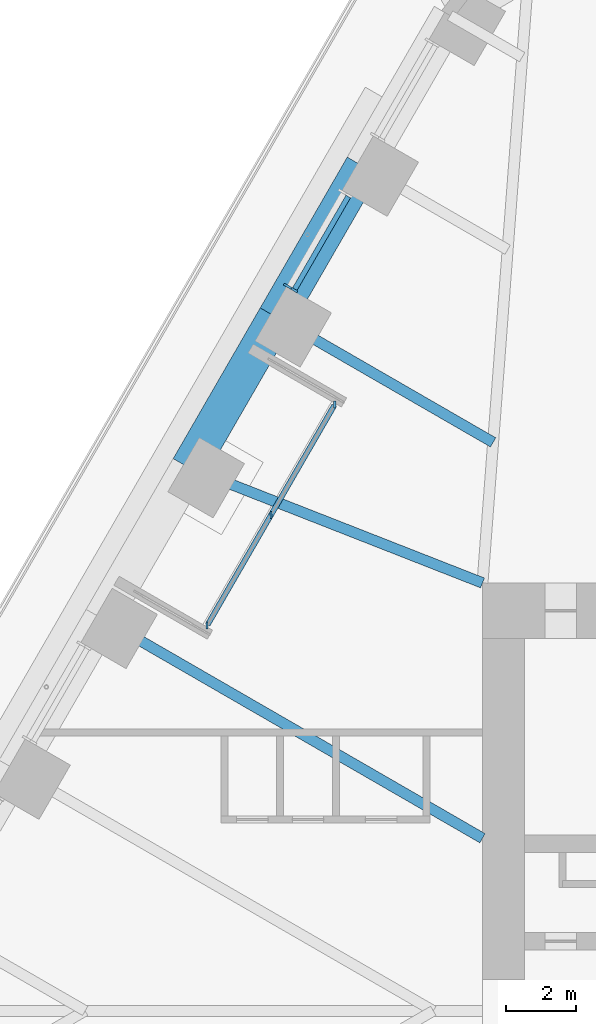
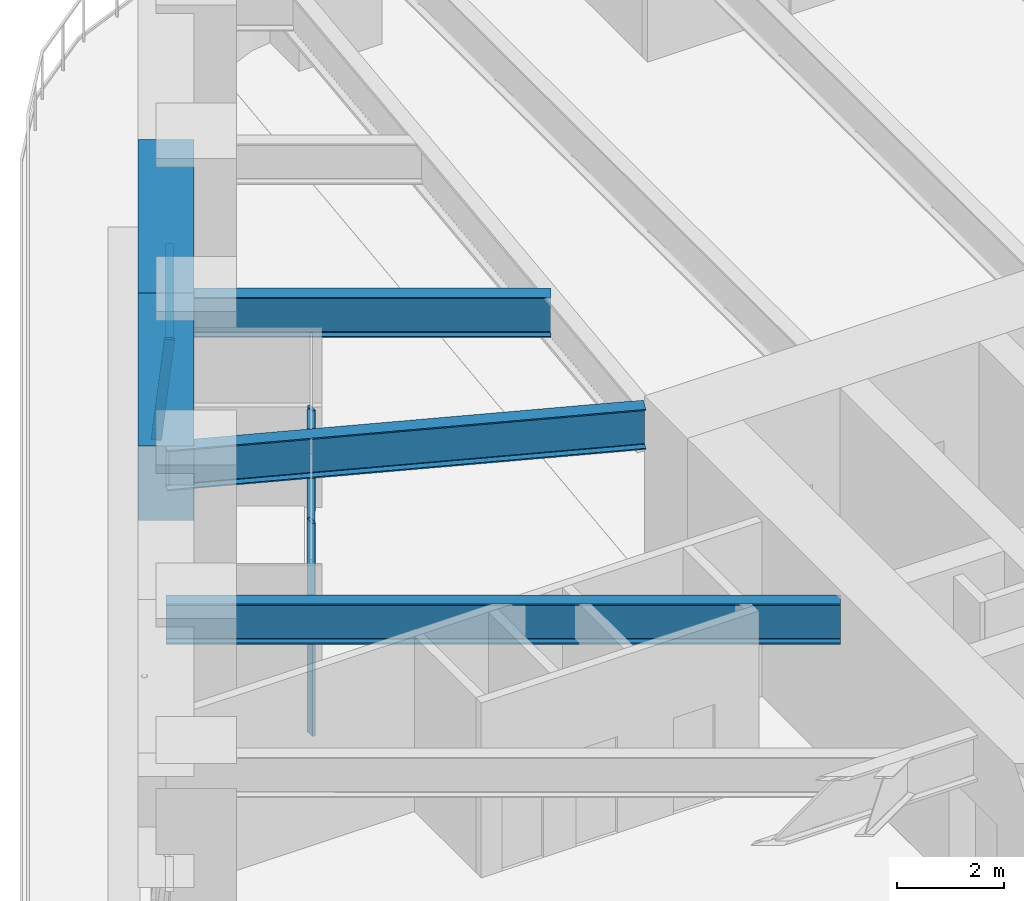
# One storey, part 8 of 24: 6 members, 5 beams, 2 elements without a shape of their own.
"""IFC4 building model written with IfcOpenShell, lengths in metres."""

from ifc_helpers import new_model, si_unit, direction, frame, origin, origin_2d, place, context, subcontext, project, spatial, rectangle, i_section, extrude, material, material_profile, profile_set, type_object, element, aggregate, save


model = new_model("IFC4")

# Units and contexts
model_context = context("Model", 3, precision=1e-05, world=origin(), true_north=direction((0.0, 1.0)))
body_context = subcontext(model_context, "Body", "Model", "MODEL_VIEW")
ifc_project = project(units=[si_unit("LENGTHUNIT", "METRE"), si_unit("AREAUNIT", "SQUARE_METRE"), si_unit("VOLUMEUNIT", "CUBIC_METRE"), si_unit("PLANEANGLEUNIT", "RADIAN"), si_unit("MASSUNIT", "GRAM", prefix="KILO")], contexts=[model_context])

# Site, building, storey
site_placement = place(None, origin())
site = spatial("IfcSite", under=ifc_project, at=site_placement, CompositionType="ELEMENT")
building_placement = place(site_placement, origin())
building = spatial("IfcBuilding", under=site, at=building_placement, Name="Tarfa Lantern Tower", CompositionType="ELEMENT")
storey_placement = place(building_placement, frame((0.0, 0.0, 123.699951171875)))
storey = spatial("IfcBuildingStorey", under=building, at=storey_placement, Name="L27", CompositionType="ELEMENT", Elevation=123.699951171875)

# Curtain wall, member
ifc_material_1 = material(Name="Aluminium framed curtain wall", Category="aluminium")
curtain_wall_type_1 = type_object("IfcCurtainWallType", Name="CW2 CANTED GLAZING MID ZONE 2300", PredefinedType="USERDEFINED", material=ifc_material_1)
curtain_wall_1_placement = place(storey_placement, origin())
curtain_wall_1 = element("IfcCurtainWall", 1, at=curtain_wall_1_placement, inside=storey, type_object=curtain_wall_type_1, Name="CW2 NW L27", ObjectType="CURTAIN WALL", PredefinedType="USERDEFINED")
ifc_material_2 = material(Name="Aluminium mullion", Category="aluminium")
ifc_material_profile_1 = material_profile(ifc_material_2, rectangle(XDim=0.06494140625, YDim=0.199951171875, at=origin_2d()), Name="AL MULLION 65x200")
ifc_profile_set_1 = profile_set([ifc_material_profile_1], Name="Aluminium mullion")
member_type_1 = type_object("IfcMemberType", Name="CWM1 MULLION 65x200", PredefinedType="MULLION", material=ifc_profile_set_1)
member_1_placement = place(storey_placement, frame((-24.22509765625, 20.8408203125, 0.0), z_axis=(0.093599904765, -0.0540283554, 0.994142844183), x_axis=(0.499919672301, 0.866071776036, 0.0)))
member_1 = element("IfcMember", 2, at=member_1_placement, type_object=member_type_1, Name="CW2 mullion 2", PredefinedType="MULLION", context=body_context, shape_type="SweptSolid", body=[
    extrude(rectangle(XDim=0.06494140625, YDim=0.199951171875, at=origin_2d()), origin(), (0.0, 0.0, 1.0), 2.313720703125),
])

# Curtain wall, members
curtain_wall_type_2 = type_object("IfcCurtainWallType", Name="CW10 LOGGIA GLAZING 2300", PredefinedType="USERDEFINED", material=ifc_material_1)
curtain_wall_2_placement = place(storey_placement, origin())
curtain_wall_2 = element("IfcCurtainWall", 3, at=curtain_wall_2_placement, inside=storey, type_object=curtain_wall_type_2, Name="CW10 NWL L27", ObjectType="CURTAIN WALL", PredefinedType="USERDEFINED")
member_2_placement = place(storey_placement, frame((-22.84619140625, 17.429443359375, 0.0), z_axis=(0.0, 0.0, 1.0), x_axis=(1.0, 0.0, 0.0)))
member_2 = element("IfcMember", 4, at=member_2_placement, type_object=member_type_1, Name="CW10 mullion 1", PredefinedType="MULLION", context=body_context, shape_type="SweptSolid", body=[
    extrude(rectangle(XDim=0.06494140625, YDim=0.199951171875, at=origin_2d()), origin(), (0.0, 0.0, 1.0), 2.300048828125),
])
member_3_placement = place(storey_placement, frame((-24.681640625, 14.25, 0.0), z_axis=(0.0, 0.0, 1.0), x_axis=(1.0, 0.0, 0.0)))
member_3 = element("IfcMember", 5, at=member_3_placement, type_object=member_type_1, Name="CW10 mullion 2", PredefinedType="MULLION", context=body_context, shape_type="SweptSolid", body=[
    extrude(rectangle(XDim=0.06494140625, YDim=0.199951171875, at=origin_2d()), origin(), (0.0, 0.0, 1.0), 2.300048828125),
])
member_4_placement = place(storey_placement, frame((-26.517333984375, 11.070556640625, 0.0), z_axis=(0.0, 0.0, 1.0), x_axis=(1.0, 0.0, 0.0)))
member_4 = element("IfcMember", 6, at=member_4_placement, type_object=member_type_1, Name="CW10 mullion 3", PredefinedType="MULLION", context=body_context, shape_type="SweptSolid", body=[
    extrude(rectangle(XDim=0.06494140625, YDim=0.199951171875, at=origin_2d()), origin(), (0.0, 0.0, 1.0), 2.300048828125),
])

# Member
ifc_material_3 = material(Name="Aluminium transom", Category="aluminium")
ifc_material_profile_2 = material_profile(ifc_material_3, rectangle(XDim=0.14990234375, YDim=0.06494140625, at=origin_2d()), Name="AL TRANSOM 150x65")
ifc_profile_set_2 = profile_set([ifc_material_profile_2], Name="Aluminium transom")
member_type_2 = type_object("IfcMemberType", Name="CWT1 TRANSOM 150x65", PredefinedType="USERDEFINED", material=ifc_profile_set_2)
member_5_placement = place(storey_placement, frame((-22.45849609375, 23.40771484375, 2.267578125), z_axis=(-0.500008936691, -0.866020244122, 0.0), x_axis=(0.866020244122, -0.500008936691, 0.0)))
member_5 = element("IfcMember", 7, at=member_5_placement, type_object=member_type_2, Name="CW2 transom 1.2", ObjectType="TRANSOM", PredefinedType="USERDEFINED", context=body_context, shape_type="SweptSolid", body=[
    extrude(rectangle(XDim=0.14990234375, YDim=0.06494140625, at=origin_2d()), origin(), (0.0, 0.0, 1.0), 3.07373046875),
])

aggregate(curtain_wall_1, [member_1, member_5])

member_6_placement = place(storey_placement, frame((-22.8623046875, 17.401123046875, 2.267578125), z_axis=(-0.500007048974, -0.866021334019, 0.0), x_axis=(0.866021334019, -0.500007048974, 0.0)))
member_6 = element("IfcMember", 8, at=member_6_placement, type_object=member_type_2, Name="CW10 transom 1.2", ObjectType="TRANSOM", PredefinedType="USERDEFINED", context=body_context, shape_type="SweptSolid", body=[
    extrude(rectangle(XDim=0.14990234375, YDim=0.06494140625, at=origin_2d()), origin(), (0.0, 0.0, 1.0), 7.27734375),
])

aggregate(curtain_wall_2, [member_2, member_3, member_4, member_6])

# Beams
ifc_material_4 = material(Name="Concrete C80/95", Category="concrete")
ifc_material_profile_3 = material_profile(ifc_material_4, rectangle(XDim=1.050048828125, YDim=1.699951171875, at=origin_2d()), Name="RC 1050x1700")
ifc_profile_set_3 = profile_set([ifc_material_profile_3], Name="Concrete C80/95")
beam_type_1 = type_object("IfcBeamType", Name="RB2 RC 1050x1700", PredefinedType="BEAM", material=ifc_profile_set_3)
for number, where, z_axis, x_axis, name in (
    (9, (-22.03369140625, 24.276611328125, 3.150146484375), (-0.49998573051, -0.866033642122, 0.0), (0.866033642122, -0.49998573051, 0.0), "Edge beam NW1"),
    (10, (-24.535400390625, 19.943359375, 3.150146484375), (-0.500022324899, -0.866012514114, 0.0), (0.866012514114, -0.500022324899, 0.0), "Edge beam NW2"),
):
    element("IfcBeam", number, at=place(storey_placement, frame(where, z_axis=z_axis, x_axis=x_axis)), inside=storey, type_object=beam_type_1, Name=name, PredefinedType="BEAM", context=body_context, shape_type="SweptSolid", body=[
        extrude(rectangle(XDim=1.050048828125, YDim=1.699951171875, at=origin_2d()), origin(), (0.0, 0.0, 1.0), 5.003662109375),
    ])
ifc_material_5 = material(Name="Steel S460M", Category="steel")
ifc_material_profile_4 = material_profile(ifc_material_5, i_section(OverallWidth=0.305419921875, OverallDepth=0.91845703125, WebThickness=0.017333984375, FlangeThickness=0.02783203125, FilletRadius=0.01904296875, at=origin_2d()), Name="UB914x305x253")
ifc_profile_set_4 = profile_set([ifc_material_profile_4], Name="Steel S460M")
beam_type_2 = type_object("IfcBeamType", Name="UB914x305x253", PredefinedType="BEAM", material=ifc_profile_set_4)
beam_1_placement = place(storey_placement, frame((-24.535400390625, 19.943359375, 3.540771484375), z_axis=(0.86602647304, -0.499998147991, 0.0), x_axis=(0.499998147991, 0.86602647304, 0.0)))
element("IfcBeam", 11, at=beam_1_placement, inside=storey, type_object=beam_type_2, Name="Floor beam NW2", PredefinedType="BEAM", context=body_context, shape_type="SweptSolid", body=[
    extrude(i_section(OverallWidth=0.305419921875, OverallDepth=0.91845703125, WebThickness=0.017333984375, FlangeThickness=0.02783203125, FilletRadius=0.01904296875, at=origin_2d()), origin(), (0.0, 0.0, 1.0), 7.20556640625),
])
beam_2_placement = place(storey_placement, frame((-27.037353515625, 15.610107421875, 3.540771484375), z_axis=(0.930923282782, -0.365214788274, 0.0), x_axis=(0.365214788274, 0.930923282782, 0.0)))
element("IfcBeam", 12, at=beam_2_placement, inside=storey, type_object=beam_type_2, Name="Floor beam NW3", PredefinedType="BEAM", context=body_context, shape_type="SweptSolid", body=[
    extrude(i_section(OverallWidth=0.305419921875, OverallDepth=0.91845703125, WebThickness=0.017333984375, FlangeThickness=0.02783203125, FilletRadius=0.01904296875, at=origin_2d()), origin(), (0.0, 0.0, 1.0), 9.063232421875),
])
beam_3_placement = place(storey_placement, frame((-29.5390625, 11.276611328125, 3.540771484375), z_axis=(0.866023362995, -0.500003534735, 0.0), x_axis=(0.500003534735, 0.866023362995, 0.0)))
element("IfcBeam", 13, at=beam_3_placement, inside=storey, type_object=beam_type_2, Name="Floor beam NW4", PredefinedType="BEAM", context=body_context, shape_type="SweptSolid", body=[
    extrude(i_section(OverallWidth=0.305419921875, OverallDepth=0.91845703125, WebThickness=0.017333984375, FlangeThickness=0.02783203125, FilletRadius=0.01904296875, at=origin_2d()), origin(), (0.0, 0.0, 1.0), 12.63134765625),
])

save(model, "model.ifc")
